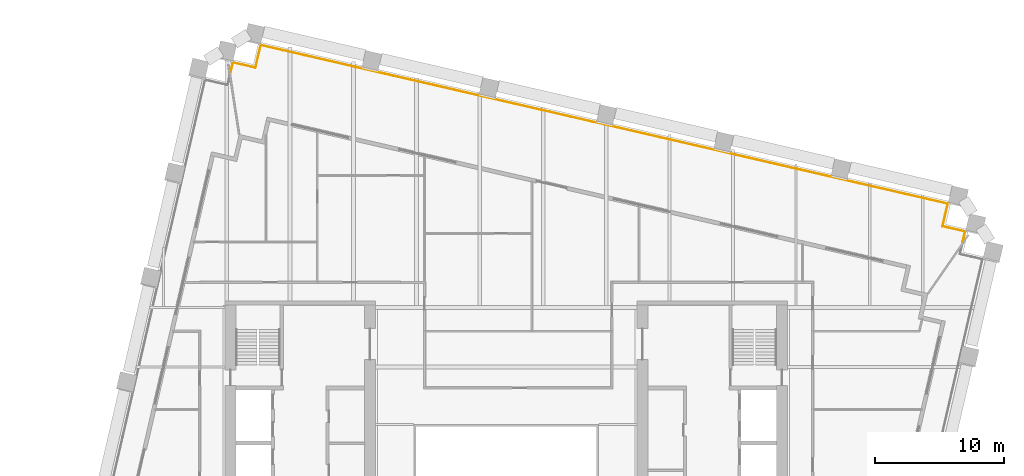
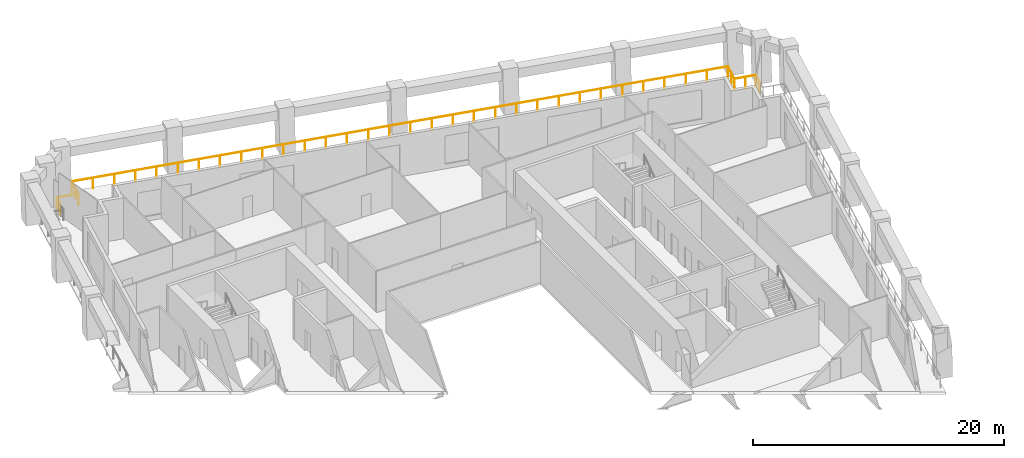
# One storey, part 12 of 12: 1 railing.
"""IFC4 building model written with IfcOpenShell, lengths in metres."""

from ifc_helpers import new_model, si_unit, direction, frame, origin, origin_2d, place, context, subcontext, project, spatial, circle, extrude, material, type_object, element, save


model = new_model("IFC4")

# Units and contexts
model_context = context("Model", 3, precision=1e-05, world=origin(), true_north=direction((0.0, 1.0)))
body_context = subcontext(model_context, "Body", "Model", "MODEL_VIEW")
ifc_project = project(units=[si_unit("LENGTHUNIT", "METRE"), si_unit("AREAUNIT", "SQUARE_METRE"), si_unit("VOLUMEUNIT", "CUBIC_METRE"), si_unit("PLANEANGLEUNIT", "RADIAN"), si_unit("MASSUNIT", "GRAM", prefix="KILO")], contexts=[model_context])

# Site, building, storey
site_placement = place(None, origin())
site = spatial("IfcSite", under=ifc_project, at=site_placement, CompositionType="ELEMENT")
building_placement = place(site_placement, origin())
building = spatial("IfcBuilding", under=site, at=building_placement, Name="Ogive Exchange Tower", CompositionType="ELEMENT")
storey_placement = place(building_placement, frame((0.0, 0.0, 139.199951171875)))
storey = spatial("IfcBuildingStorey", under=building, at=storey_placement, Name="L30", CompositionType="ELEMENT", Elevation=139.199951171875)

# Railing
ifc_material = material(Name="Stainless steel 316", Category="steel")
railing_type = type_object("IfcRailingType", Name="Guard 1100 stainless steel and glass", PredefinedType="GUARDRAIL", material=ifc_material)
railing_placement = place(storey_placement, frame((-21.41357421875, 43.46435546875, -0.050048828125)))
element("IfcRailing", 1, at=railing_placement, inside=storey, type_object=railing_type, Name="Loggia guard 3", PredefinedType="GUARDRAIL", context=body_context, shape_type="SweptSolid", body=[
    extrude(circle(Radius=0.02392578125, at=origin_2d()), frame((0.0, 0.0, 1.076171875), z_axis=(0.22498838109, 0.974361446474, 0.0), x_axis=(-0.974361446474, 0.22498838109, 0.0)), (0.0, 0.0, 1.0), 0.830078125),
    extrude(circle(Radius=0.02392578125, at=origin_2d()), frame((0.186767578125, 0.808837890625, 1.076171875), z_axis=(0.974350028141, -0.22503782496, 0.0), x_axis=(0.22503782496, 0.974350028141, 0.0)), (0.0, 0.0, 1.0), 1.7998046875),
    extrude(circle(Radius=0.02392578125, at=origin_2d()), frame((1.9404296875, 0.40380859375, 1.076171875), z_axis=(0.225008086135, 0.974356896201, 0.0), x_axis=(-0.974356896201, 0.225008086135, 0.0)), (0.0, 0.0, 1.0), 1.800048828125),
    extrude(circle(Radius=0.02392578125, at=origin_2d()), frame((2.345458984375, 2.15771484375, 1.076171875), z_axis=(0.974369851199, -0.224951979483, 0.0), x_axis=(0.224951979483, 0.974369851199, 0.0)), (0.0, 0.0, 1.0), 54.760009765625),
    extrude(circle(Radius=0.02392578125, at=origin_2d()), frame((55.701904296875, -10.16064453125, 1.076171875), z_axis=(-0.225008086135, -0.974356896201, 0.0), x_axis=(0.974356896201, -0.225008086135, 0.0)), (0.0, 0.0, 1.0), 1.800048828125),
    extrude(circle(Radius=0.02392578125, at=origin_2d()), frame((55.296875, -11.91455078125, 1.076171875), z_axis=(0.974386623598, -0.224879318197, 0.0), x_axis=(0.224879318197, 0.974386623598, 0.0)), (0.0, 0.0, 1.0), 1.800048828125),
    extrude(circle(Radius=0.02392578125, at=origin_2d()), frame((57.05078125, -12.3193359375, 1.076171875), z_axis=(-0.224709138326, -0.974425883868, 0.0), x_axis=(0.974425883868, -0.224709138326, 0.0)), (0.0, 0.0, 1.0), 0.830078125),
    extrude(circle(Radius=0.02099609375, at=origin_2d()), origin(), (0.0, 0.0, 1.0), 1.052001953125),
    extrude(circle(Radius=0.02099609375, at=origin_2d()), frame((0.186767578125, 0.808837890625, 0.0)), (0.0, 0.0, 1.0), 1.052001953125),
    extrude(circle(Radius=0.02099609375, at=origin_2d()), frame((1.9404296875, 0.40380859375, 0.0)), (0.0, 0.0, 1.0), 1.052001953125),
    extrude(circle(Radius=0.02099609375, at=origin_2d()), frame((2.14306640625, 1.28076171875, 0.0)), (0.0, 0.0, 1.0), 1.052001953125),
    extrude(circle(Radius=0.02099609375, at=origin_2d()), frame((2.345458984375, 2.15771484375, 0.0)), (0.0, 0.0, 1.0), 1.052001953125),
    extrude(circle(Radius=0.02099609375, at=origin_2d()), frame((4.066650390625, 1.76025390625, 0.0)), (0.0, 0.0, 1.0), 1.052001953125),
    extrude(circle(Radius=0.02099609375, at=origin_2d()), frame((5.787841796875, 1.363037109375, 0.0)), (0.0, 0.0, 1.0), 1.052001953125),
    extrude(circle(Radius=0.02099609375, at=origin_2d()), frame((7.509033203125, 0.965576171875, 0.0)), (0.0, 0.0, 1.0), 1.052001953125),
    extrude(circle(Radius=0.02099609375, at=origin_2d()), frame((9.230224609375, 0.568359375, 0.0)), (0.0, 0.0, 1.0), 1.052001953125),
    extrude(circle(Radius=0.02099609375, at=origin_2d()), frame((10.951416015625, 0.1708984375, 0.0)), (0.0, 0.0, 1.0), 1.052001953125),
    extrude(circle(Radius=0.02099609375, at=origin_2d()), frame((12.672607421875, -0.2265625, 0.0)), (0.0, 0.0, 1.0), 1.052001953125),
    extrude(circle(Radius=0.02099609375, at=origin_2d()), frame((14.393798828125, -0.623779296875, 0.0)), (0.0, 0.0, 1.0), 1.052001953125),
    extrude(circle(Radius=0.02099609375, at=origin_2d()), frame((16.11474609375, -1.021240234375, 0.0)), (0.0, 0.0, 1.0), 1.052001953125),
    extrude(circle(Radius=0.02099609375, at=origin_2d()), frame((17.8359375, -1.418701171875, 0.0)), (0.0, 0.0, 1.0), 1.052001953125),
    extrude(circle(Radius=0.02099609375, at=origin_2d()), frame((19.55712890625, -1.81591796875, 0.0)), (0.0, 0.0, 1.0), 1.052001953125),
    extrude(circle(Radius=0.02099609375, at=origin_2d()), frame((21.2783203125, -2.21337890625, 0.0)), (0.0, 0.0, 1.0), 1.052001953125),
    extrude(circle(Radius=0.02099609375, at=origin_2d()), frame((22.99951171875, -2.610595703125, 0.0)), (0.0, 0.0, 1.0), 1.052001953125),
    extrude(circle(Radius=0.02099609375, at=origin_2d()), frame((24.720703125, -3.008056640625, 0.0)), (0.0, 0.0, 1.0), 1.052001953125),
    extrude(circle(Radius=0.02099609375, at=origin_2d()), frame((26.44189453125, -3.405517578125, 0.0)), (0.0, 0.0, 1.0), 1.052001953125),
    extrude(circle(Radius=0.02099609375, at=origin_2d()), frame((28.1630859375, -3.802734375, 0.0)), (0.0, 0.0, 1.0), 1.052001953125),
    extrude(circle(Radius=0.02099609375, at=origin_2d()), frame((29.88427734375, -4.2001953125, 0.0)), (0.0, 0.0, 1.0), 1.052001953125),
    extrude(circle(Radius=0.02099609375, at=origin_2d()), frame((31.60546875, -4.597412109375, 0.0)), (0.0, 0.0, 1.0), 1.052001953125),
    extrude(circle(Radius=0.02099609375, at=origin_2d()), frame((33.32666015625, -4.994873046875, 0.0)), (0.0, 0.0, 1.0), 1.052001953125),
    extrude(circle(Radius=0.02099609375, at=origin_2d()), frame((35.0478515625, -5.392333984375, 0.0)), (0.0, 0.0, 1.0), 1.052001953125),
    extrude(circle(Radius=0.02099609375, at=origin_2d()), frame((36.76904296875, -5.78955078125, 0.0)), (0.0, 0.0, 1.0), 1.052001953125),
    extrude(circle(Radius=0.02099609375, at=origin_2d()), frame((38.490234375, -6.18701171875, 0.0)), (0.0, 0.0, 1.0), 1.052001953125),
    extrude(circle(Radius=0.02099609375, at=origin_2d()), frame((40.21142578125, -6.584228515625, 0.0)), (0.0, 0.0, 1.0), 1.052001953125),
    extrude(circle(Radius=0.02099609375, at=origin_2d()), frame((41.9326171875, -6.981689453125, 0.0)), (0.0, 0.0, 1.0), 1.052001953125),
    extrude(circle(Radius=0.02099609375, at=origin_2d()), frame((43.653564453125, -7.379150390625, 0.0)), (0.0, 0.0, 1.0), 1.052001953125),
    extrude(circle(Radius=0.02099609375, at=origin_2d()), frame((45.374755859375, -7.7763671875, 0.0)), (0.0, 0.0, 1.0), 1.052001953125),
    extrude(circle(Radius=0.02099609375, at=origin_2d()), frame((47.095947265625, -8.173828125, 0.0)), (0.0, 0.0, 1.0), 1.052001953125),
    extrude(circle(Radius=0.02099609375, at=origin_2d()), frame((48.817138671875, -8.5712890625, 0.0)), (0.0, 0.0, 1.0), 1.052001953125),
    extrude(circle(Radius=0.02099609375, at=origin_2d()), frame((50.538330078125, -8.968505859375, 0.0)), (0.0, 0.0, 1.0), 1.052001953125),
    extrude(circle(Radius=0.02099609375, at=origin_2d()), frame((52.259521484375, -9.365966796875, 0.0)), (0.0, 0.0, 1.0), 1.052001953125),
    extrude(circle(Radius=0.02099609375, at=origin_2d()), frame((53.980712890625, -9.76318359375, 0.0)), (0.0, 0.0, 1.0), 1.052001953125),
    extrude(circle(Radius=0.02099609375, at=origin_2d()), frame((55.701904296875, -10.16064453125, 0.0)), (0.0, 0.0, 1.0), 1.052001953125),
    extrude(circle(Radius=0.02099609375, at=origin_2d()), frame((55.49951171875, -11.03759765625, 0.0)), (0.0, 0.0, 1.0), 1.052001953125),
    extrude(circle(Radius=0.02099609375, at=origin_2d()), frame((55.296875, -11.91455078125, 0.0)), (0.0, 0.0, 1.0), 1.052001953125),
    extrude(circle(Radius=0.02099609375, at=origin_2d()), frame((56.173828125, -12.116943359375, 0.0)), (0.0, 0.0, 1.0), 1.052001953125),
    extrude(circle(Radius=0.02099609375, at=origin_2d()), frame((57.05078125, -12.3193359375, 0.0)), (0.0, 0.0, 1.0), 1.052001953125),
    extrude(circle(Radius=0.02099609375, at=origin_2d()), frame((56.8642578125, -13.128173828125, 0.0)), (0.0, 0.0, 1.0), 1.052001953125),
])

save(model, "model.ifc")
